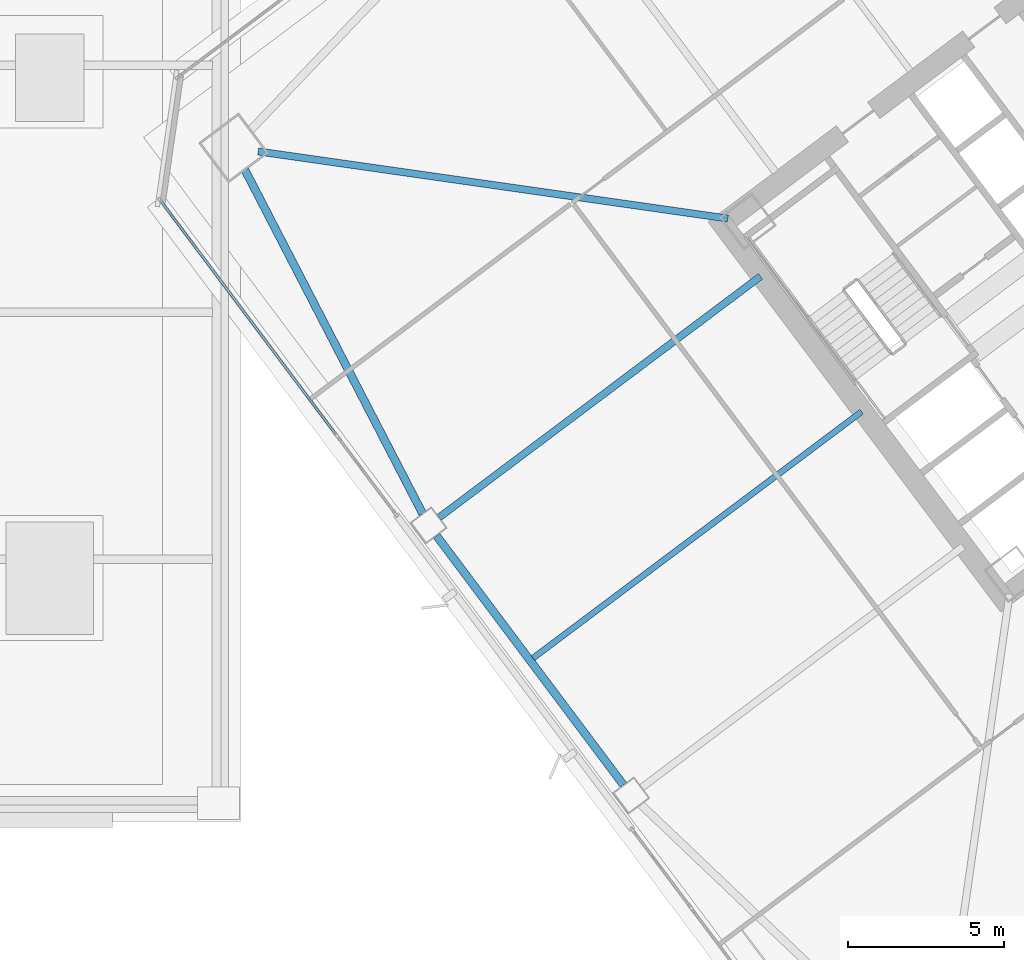
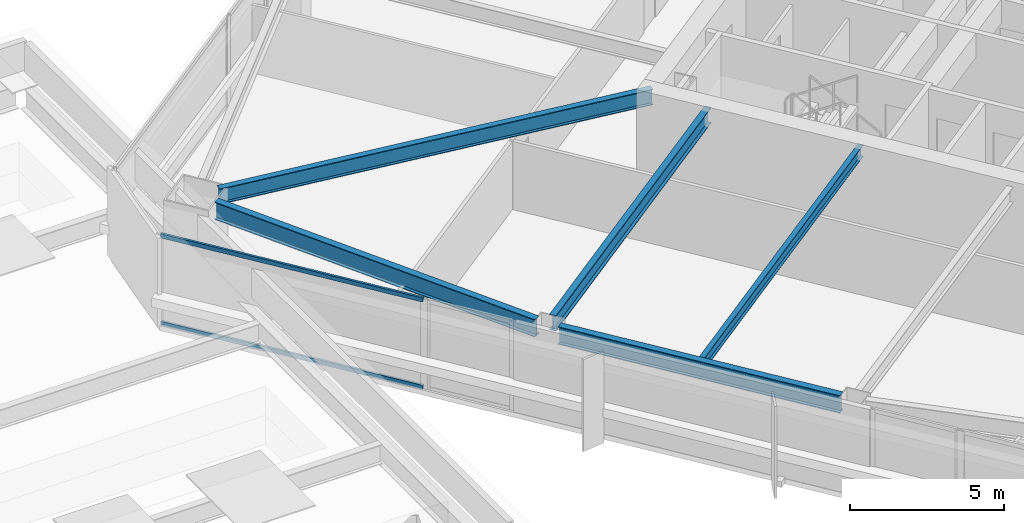
# One storey, part 24 of 62: 5 beams, 2 members, 1 element without a shape of its own.
"""IFC4 building model written with IfcOpenShell, lengths in metres."""

from ifc_helpers import new_model, si_unit, direction, frame, origin, origin_2d, place, context, subcontext, project, spatial, hollow_rectangle, i_section, extrude, material, material_profile, profile_set, type_object, element, aggregate, save


model = new_model("IFC4")

# Units and contexts
model_context = context("Model", 3, precision=1e-05, world=origin(), true_north=direction((0.0, 1.0)))
body_context = subcontext(model_context, "Body", "Model", "MODEL_VIEW")
ifc_project = project(units=[si_unit("LENGTHUNIT", "METRE"), si_unit("AREAUNIT", "SQUARE_METRE"), si_unit("VOLUMEUNIT", "CUBIC_METRE"), si_unit("PLANEANGLEUNIT", "RADIAN"), si_unit("MASSUNIT", "GRAM", prefix="KILO")], contexts=[model_context])

# Site, building, storey
site_placement = place(None, origin())
site = spatial("IfcSite", under=ifc_project, at=site_placement, CompositionType="ELEMENT")
building_placement = place(site_placement, origin())
building = spatial("IfcBuilding", under=site, at=building_placement, Name="Tashvorn Skyway Center", CompositionType="ELEMENT")
storey_placement = place(building_placement, frame((0.0, 0.0, 28.14990234375)))
storey = spatial("IfcBuildingStorey", under=building, at=storey_placement, Name="L06", CompositionType="ELEMENT", Elevation=28.14990234375)

# Beams
ifc_material_1 = material(Name="Steel ASTM A992 Grade 50", Category="steel")
ifc_material_profile_1 = material_profile(ifc_material_1, i_section(OverallWidth=0.22998046875, OverallDepth=0.616943359375, WebThickness=0.01318359375, FlangeThickness=0.022216796875, at=origin_2d()), Name="W24X94")
ifc_profile_set_1 = profile_set([ifc_material_profile_1], Name="Steel ASTM A992 Grade 50")
beam_type_1 = type_object("IfcBeamType", Name="BM-BEAM-W24X94", PredefinedType="BEAM", material=ifc_profile_set_1)
beam_1_placement = place(storey_placement, frame((88.467041015625, 35.6474609375, 3.04150390625), z_axis=(0.989950458816, -0.141414599991, 0.0), x_axis=(0.141414599991, 0.989950458816, 0.0)))
element("IfcBeam", 1, at=beam_1_placement, inside=storey, type_object=beam_type_1, Name="Tower 2 L06 Primary Floor Girder MC-NW", PredefinedType="BEAM", context=body_context, shape_type="SweptSolid", body=[
    extrude(i_section(OverallWidth=0.22998046875, OverallDepth=0.616943359375, WebThickness=0.01318359375, FlangeThickness=0.022216796875, at=origin_2d()), origin(), (0.0, 0.0, 1.0), 15.177001953125),
])
beam_2_placement = place(storey_placement, frame((94.256103515625, 23.94189453125, 3.04150390625), z_axis=(0.799986320265, 0.600018239213, 0.0), x_axis=(-0.600018239213, 0.799986320265, 0.0)))
element("IfcBeam", 2, at=beam_2_placement, inside=storey, type_object=beam_type_1, Name="Tower 2 L06 Primary Floor Girder FC-W1", PredefinedType="BEAM", context=body_context, shape_type="SweptSolid", body=[
    extrude(i_section(OverallWidth=0.22998046875, OverallDepth=0.616943359375, WebThickness=0.01318359375, FlangeThickness=0.022216796875, at=origin_2d()), origin(), (0.0, 0.0, 1.0), 12.849853515625),
])
ifc_material_profile_2 = material_profile(ifc_material_1, i_section(OverallWidth=0.19091796875, OverallDepth=0.4599609375, WebThickness=0.010009765625, FlangeThickness=0.01611328125, at=origin_2d()), Name="W18X55")
ifc_profile_set_2 = profile_set([ifc_material_profile_2], Name="Steel ASTM A992 Grade 50")
beam_type_2 = type_object("IfcBeamType", Name="BM-JOIST-W18X55", PredefinedType="JOIST", material=ifc_profile_set_2)
beam_3_placement = place(storey_placement, frame((107.76806640625, 27.325927734375, 3.1201171875), z_axis=(-0.799997770398, -0.600002972791, 0.0), x_axis=(0.600002972791, -0.799997770398, 0.0)))
element("IfcBeam", 3, at=beam_3_placement, inside=storey, type_object=beam_type_2, Name="Tower 2 L06 Secondary Composite Joist JW", PredefinedType="JOIST", context=body_context, shape_type="SweptSolid", body=[
    extrude(i_section(OverallWidth=0.19091796875, OverallDepth=0.4599609375, WebThickness=0.010009765625, FlangeThickness=0.01611328125, at=origin_2d()), origin(), (0.0, 0.0, 1.0), 13.139892578125),
])
ifc_material_profile_3 = material_profile(ifc_material_1, i_section(OverallWidth=0.256103515625, OverallDepth=0.693115234375, WebThickness=0.014404296875, FlangeThickness=0.023681640625, at=origin_2d()), Name="W27X114")
ifc_profile_set_3 = profile_set([ifc_material_profile_3], Name="Steel ASTM A992 Grade 50")
beam_type_3 = type_object("IfcBeamType", Name="BM-SPANDREL-W27X114", PredefinedType="SPANDREL", material=ifc_profile_set_3)
beam_4_placement = place(storey_placement, frame((88.045166015625, 35.0537109375, 3.003662109375), z_axis=(0.459233413919, -0.888315637339, 0.0), x_axis=(0.888315637339, 0.459233413919, 0.0)))
element("IfcBeam", 4, at=beam_4_placement, inside=storey, type_object=beam_type_3, Name="Tower 2 L06 Spandrel Beam 10", PredefinedType="SPANDREL", context=body_context, shape_type="SweptSolid", body=[
    extrude(i_section(OverallWidth=0.256103515625, OverallDepth=0.693115234375, WebThickness=0.014404296875, FlangeThickness=0.023681640625, at=origin_2d()), origin(), (0.0, 0.0, 1.0), 12.37255859375),
])
beam_5_placement = place(storey_placement, frame((94.172119140625, 23.35400390625, 3.003662109375), z_axis=(0.599988234018, -0.800008824351, 0.0), x_axis=(0.800008824351, 0.599988234018, 0.0)))
element("IfcBeam", 5, at=beam_5_placement, inside=storey, type_object=beam_type_3, Name="Tower 2 L06 Spandrel Beam 11", PredefinedType="SPANDREL", context=body_context, shape_type="SweptSolid", body=[
    extrude(i_section(OverallWidth=0.256103515625, OverallDepth=0.693115234375, WebThickness=0.014404296875, FlangeThickness=0.023681640625, at=origin_2d()), origin(), (0.0, 0.0, 1.0), 9.9599609375),
])

# Curtain wall, members
ifc_material_2 = material(Name="Thermally broken bronze-anodized aluminium 6063-T6", Category="aluminium")
curtain_wall_type = type_object("IfcCurtainWallType", Name="CW-CW-Z1", PredefinedType="NOTDEFINED", material=ifc_material_2)
curtain_wall_placement = place(storey_placement, origin())
curtain_wall = element("IfcCurtainWall", 6, at=curtain_wall_placement, inside=storey, type_object=curtain_wall_type, Name="Tower 2 L06 West Unitised Curtain Wall Glazing Group 4", PredefinedType="NOTDEFINED")
ifc_material_profile_4 = material_profile(ifc_material_2, hollow_rectangle(XDim=0.0849609375, YDim=0.1650390625, WallThickness=0.0048828125, at=origin_2d()), Name="ALU-TRAN-85x165")
ifc_profile_set_4 = profile_set([ifc_material_profile_4], Name="Thermally broken bronze-anodized aluminium 6063-T6")
member_type = type_object("IfcMemberType", Name="CWT-CW-Z1", PredefinedType="USERDEFINED", material=ifc_profile_set_4)
member_1_placement = place(storey_placement, frame((90.94091796875, 26.612060546875, 0.04248046875), z_axis=(-0.6, 0.8, 0.0), x_axis=(-0.8, -0.6, 0.0)))
member_1 = element("IfcMember", 7, at=member_1_placement, type_object=member_type, Name="CW-Z1 transom 1.1", ObjectType="TRANSOM", PredefinedType="USERDEFINED", context=body_context, shape_type="SweptSolid", body=[
    extrude(hollow_rectangle(XDim=0.0849609375, YDim=0.1650390625, WallThickness=0.0048828125, at=origin_2d()), origin(), (0.0, 0.0, 1.0), 9.27001953125),
])
member_2_placement = place(storey_placement, frame((90.94091796875, 26.612060546875, 3.507568359375), z_axis=(-0.6, 0.8, 0.0), x_axis=(-0.8, -0.6, 0.0)))
member_2 = element("IfcMember", 8, at=member_2_placement, type_object=member_type, Name="CW-Z1 transom 1.2", ObjectType="TRANSOM", PredefinedType="USERDEFINED", context=body_context, shape_type="SweptSolid", body=[
    extrude(hollow_rectangle(XDim=0.0849609375, YDim=0.1650390625, WallThickness=0.0048828125, at=origin_2d()), origin(), (0.0, 0.0, 1.0), 9.27001953125),
])
aggregate(curtain_wall, [member_1, member_2])

save(model, "model.ifc")
